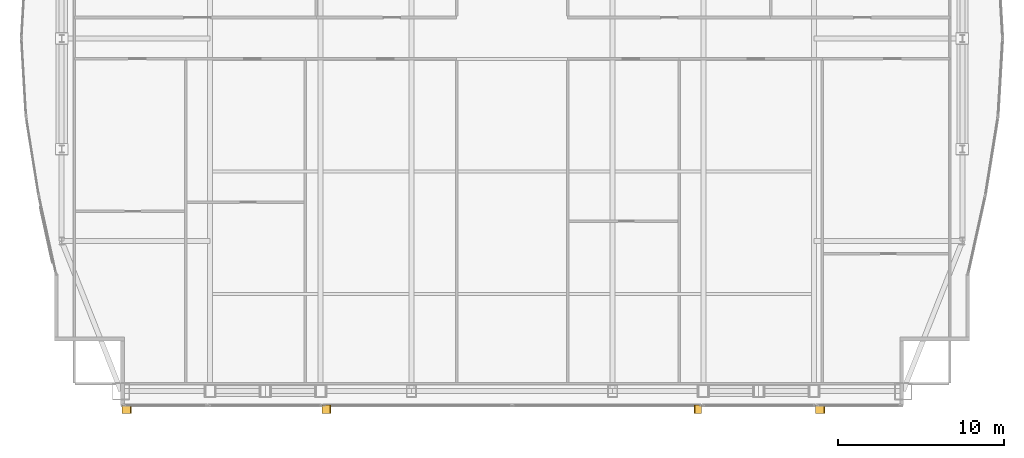
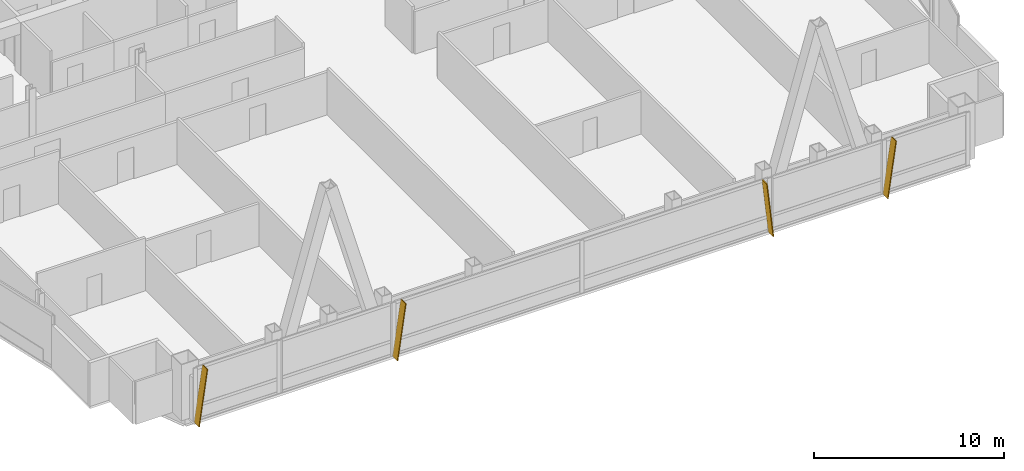
# One storey, part 30 of 31: 4 shading devices.
"""IFC4 building model written with IfcOpenShell, lengths in metres."""

from ifc_helpers import new_model, si_unit, direction, frame, origin, place, context, subcontext, project, spatial, polyline, outline, extrude, material, layer, layer_set, type_object, element, save


model = new_model("IFC4")

# Units and contexts
model_context = context("Model", 3, precision=1e-05, world=origin(), true_north=direction((0.0, 1.0)))
body_context = subcontext(model_context, "Body", "Model", "MODEL_VIEW")
ifc_project = project(units=[si_unit("LENGTHUNIT", "METRE"), si_unit("AREAUNIT", "SQUARE_METRE"), si_unit("VOLUMEUNIT", "CUBIC_METRE"), si_unit("PLANEANGLEUNIT", "RADIAN"), si_unit("MASSUNIT", "GRAM", prefix="KILO")], contexts=[model_context])

# Site, building, storey
site_placement = place(None, origin())
site = spatial("IfcSite", under=ifc_project, at=site_placement, CompositionType="ELEMENT")
building_placement = place(site_placement, origin())
building = spatial("IfcBuilding", under=site, at=building_placement, Name="Khoronbel Lancet Exchange", CompositionType="ELEMENT")
storey_placement = place(building_placement, frame((0.0, 0.0, 261.800048828125)))
storey = spatial("IfcBuildingStorey", under=building, at=storey_placement, Name="L67", CompositionType="ELEMENT", Elevation=261.800048828125)

# Shading devices
ifc_material = material(Name="Bronze-Anodised Aluminium 6063-T6", Category="aluminium")
ifc_layer = layer(ifc_material, 0.054931640625, Name="Bronze-Anodised Aluminium 6063-T6")
ifc_layer_set = layer_set([ifc_layer], Name="Bronze-Anodised Aluminium 6063-T6")
shading_device_type = type_object("IfcShadingDeviceType", Name="SHD-FIN1", PredefinedType="USERDEFINED", material=ifc_layer_set)
for number, where, z_axis, x_axis, name in (
    (1, (12.91259765625, 9.31005859375, -0.080078125), (-0.989869696738, 0.0, 0.141978813487), (0.0, -1.0, 0.0), "Slanted bronze solar fin CW-L67-SWV-0"),
    (2, (24.972412109375, 9.31005859375, -0.080078125), (-0.989860045718, 0.0, 0.142046083686), (0.0, -1.0, 0.0), "Slanted bronze solar fin CW-L67-SCV-0"),
):
    element("IfcShadingDevice", number, at=place(storey_placement, frame(where, z_axis=z_axis, x_axis=x_axis)), inside=storey, type_object=shading_device_type, Name=name, ObjectType="FIN", PredefinedType="USERDEFINED", context=body_context, shape_type="SweptSolid", body=[
        extrude(outline(polyline([(0.0, 0.0), (0.52001953125, 0.0), (0.52001953125, 3.55615234375), (0.0, 3.55615234375), (0.0, 0.0)])), origin(), (0.0, 0.0, -1.0), 0.054931640625),
    ])
shading_device_1_placement = place(storey_placement, frame((47.87255859375, 9.31005859375, -0.080078125), z_axis=(0.993762098476, 0.0, 0.111520812549), x_axis=(0.0, -1.0, 0.0)))
element("IfcShadingDevice", 3, at=shading_device_1_placement, inside=storey, type_object=shading_device_type, Name="Slanted bronze solar fin CW-L67-SCV-2", ObjectType="FIN", PredefinedType="USERDEFINED", context=body_context, shape_type="SweptSolid", body=[
    extrude(outline(polyline([(0.0, 0.0), (0.52001953125, 0.0), (0.52001953125, -3.542236328125), (0.0, -3.542236328125), (0.0, 0.0)])), origin(), (0.0, 0.0, -1.0), 0.054931640625),
])
shading_device_2_placement = place(storey_placement, frame((54.7724609375, 9.31005859375, -0.080078125), z_axis=(-0.989860045718, 0.0, 0.142046083686), x_axis=(0.0, -1.0, 0.0)))
element("IfcShadingDevice", 4, at=shading_device_2_placement, inside=storey, type_object=shading_device_type, Name="Slanted bronze solar fin CW-L67-SEV-0", ObjectType="FIN", PredefinedType="USERDEFINED", context=body_context, shape_type="SweptSolid", body=[
    extrude(outline(polyline([(0.0, 0.0), (0.52001953125, 0.0), (0.52001953125, 3.55615234375), (0.0, 3.55615234375), (0.0, 0.0)])), origin(), (0.0, 0.0, -1.0), 0.054931640625),
])

save(model, "model.ifc")
